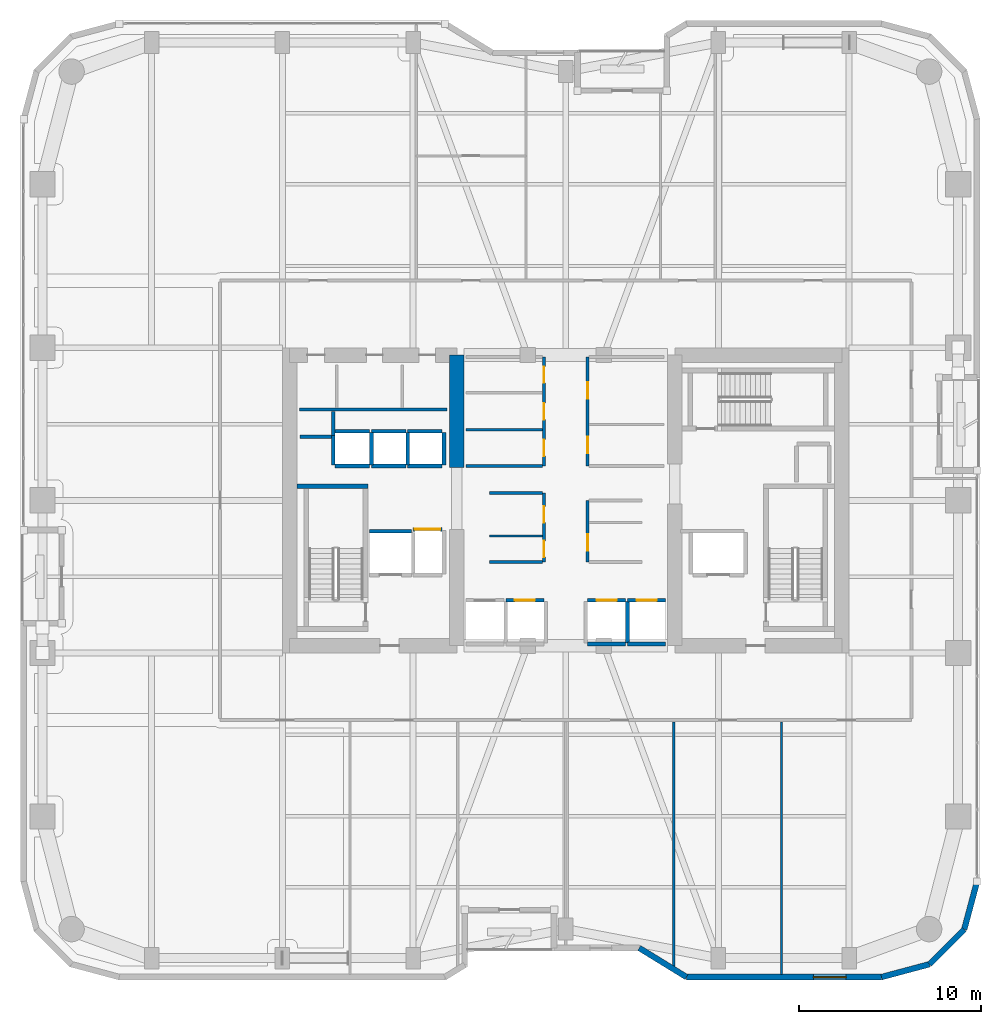
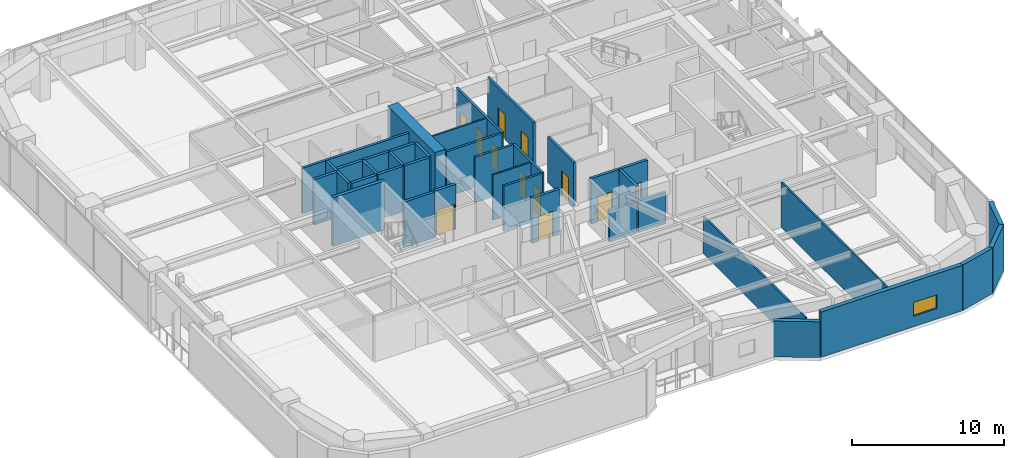
# One storey, part 19 of 24: 39 walls, 12 doors, 1 window, 13 openings.
"""IFC4 building model written with IfcOpenShell, lengths in metres."""

from ifc_helpers import new_model, si_unit, direction, frame, frame_2d, origin, place, context, subcontext, project, spatial, rectangle, extrude, material, layer, layer_set, type_object, element, fill, save


model = new_model("IFC4")

# Units and contexts
model_context = context("Model", 3, precision=1e-05, world=origin(), true_north=direction((0.0, 1.0)))
body_context = subcontext(model_context, "Body", "Model", "MODEL_VIEW")
ifc_project = project(units=[si_unit("LENGTHUNIT", "METRE"), si_unit("AREAUNIT", "SQUARE_METRE"), si_unit("VOLUMEUNIT", "CUBIC_METRE"), si_unit("PLANEANGLEUNIT", "RADIAN"), si_unit("MASSUNIT", "GRAM", prefix="KILO")], contexts=[model_context])

# Site, building, storey
site_placement = place(None, origin())
site = spatial("IfcSite", under=ifc_project, at=site_placement, CompositionType="ELEMENT")
building_placement = place(site_placement, origin())
building = spatial("IfcBuilding", under=site, at=building_placement, Name="Kiyonajd Concourse Tower", CompositionType="ELEMENT")
storey_placement = place(building_placement, frame((0.0, 0.0, 101.39990234375)))
storey = spatial("IfcBuildingStorey", under=building, at=storey_placement, Name="L26", CompositionType="ELEMENT", Elevation=101.39990234375)

# Walls
ifc_material_1 = material(Name="Concrete C70/85", Category="concrete")
ifc_layer_1 = layer(ifc_material_1, 0.800048828125)
ifc_layer_set_1 = layer_set([ifc_layer_1], Name="Concrete C70/85")
wall_type_1 = type_object("IfcWallType", Name="WL-CORE-800", PredefinedType="SHEAR", material=ifc_layer_set_1)
wall_1_placement = place(storey_placement, frame((42.0, 37.800048828125, 0.0), z_axis=(0.0, 0.0, 1.0), x_axis=(0.0, 1.0, 0.0)))
element("IfcWall", 1, at=wall_1_placement, inside=storey, type_object=wall_type_1, Name="L26 West Core Inner North Shear Wall", PredefinedType="SHEAR", context=body_context, shape_type="SweptSolid", body=[
    extrude(rectangle(XDim=6.199951171875, YDim=0.800048828125, at=frame_2d((3.10009765625, 0.0))), origin(), (0.0, 0.0, 1.0), 3.900146484375),
])
ifc_material_2 = material(Name="Precast concrete C50/60", Category="concrete")
ifc_layer_2 = layer(ifc_material_2, 0.320068359375)
ifc_layer_set_2 = layer_set([ifc_layer_2], Name="Precast concrete C50/60")
wall_type_2 = type_object("IfcWallType", Name="WL-EXT-320", PredefinedType="SOLIDWALL", material=ifc_layer_set_2)
wall_2_placement = place(storey_placement, frame((70.639892578125, 15.02099609375, 0.0), z_axis=(0.0, 0.0, 1.0), x_axis=(-0.258613949072, -0.965980758269, 0.0)))
element("IfcWall", 2, at=wall_2_placement, inside=storey, type_object=wall_type_2, Name="L26 Exterior Concrete Frame Wall 25", PredefinedType="SOLIDWALL", context=body_context, shape_type="SweptSolid", body=[
    extrude(rectangle(XDim=2.731201171875, YDim=0.320068359375, at=frame_2d((1.36572265625, 0.0))), origin(), (0.0, 0.0, 1.0), 3.64013671875),
])
wall_3_placement = place(storey_placement, frame((69.93359375, 12.3828125, 0.0), z_axis=(0.0, 0.0, 1.0), x_axis=(-0.707151821269, -0.707061738235, 0.0)))
element("IfcWall", 3, at=wall_3_placement, inside=storey, type_object=wall_type_2, Name="L26 Exterior Concrete Frame Wall 26", PredefinedType="SOLIDWALL", context=body_context, shape_type="SweptSolid", body=[
    extrude(rectangle(XDim=2.710205078125, YDim=0.320068359375, at=frame_2d((1.35498046875, 0.0))), origin(), (0.0, 0.0, 1.0), 3.64013671875),
])
wall_4_placement = place(storey_placement, frame((68.01708984375, 10.466552734375, 0.0), z_axis=(0.0, 0.0, 1.0), x_axis=(-0.965958423373, -0.25869736047, 0.0)))
element("IfcWall", 4, at=wall_4_placement, inside=storey, type_object=wall_type_2, Name="L26 Exterior Concrete Frame Wall 27", PredefinedType="SOLIDWALL", context=body_context, shape_type="SweptSolid", body=[
    extrude(rectangle(XDim=2.731201171875, YDim=0.320068359375, at=frame_2d((1.36572265625, 0.0))), origin(), (0.0, 0.0, 1.0), 3.64013671875),
])

# Wall, opening, window
wall_5_placement = place(storey_placement, frame((65.37890625, 9.760009765625, 0.0), z_axis=(0.0, 0.0, 1.0), x_axis=(-1.0, 0.0, 0.0)))
wall_5 = element("IfcWall", 5, at=wall_5_placement, inside=storey, type_object=wall_type_2, Name="L26 Exterior Concrete Frame Wall 28", PredefinedType="SOLIDWALL", context=body_context, shape_type="SweptSolid", body=[
    extrude(rectangle(XDim=10.733642578125, YDim=0.320068359375, at=frame_2d((5.36669921875, 0.0))), origin(), (0.0, 0.0, 1.0), 3.64013671875),
])
opening_1_placement = place(wall_5_placement, frame((1.944091796875, 0.0, 0.85009765625)))
opening_1 = element("IfcOpeningElement", 6, at=opening_1_placement, cuts=wall_5, Name="Opening WN1", PredefinedType="OPENING", context=body_context, shape_type="SweptSolid", body=[
    extrude(rectangle(XDim=1.800048828125, YDim=1.10009765625, at=frame_2d((0.89990234375, 0.550048828125))), frame((0.0, 0.169921875, 0.0), z_axis=(0.0, -1.0, 0.0), x_axis=(1.0, 0.0, 0.0)), (0.0, 0.0, 1.0), 0.340087890625),
])
ifc_material_3 = material(Name="Double Low-E Insulated Glass", Category="glass")
window_type = type_object("IfcWindowType", Name="WN-VIS-1800x1100", PartitioningType="SINGLE_PANEL", PredefinedType="WINDOW", material=ifc_material_3)
window_placement = place(opening_1_placement, origin())
window = element("IfcWindow", 7, at=window_placement, inside=storey, type_object=window_type, Name="L26 Modular Facade Vision Window 28", OverallHeight=1.10009765625, OverallWidth=1.800048828125, PartitioningType="SINGLE_PANEL", PredefinedType="WINDOW", context=body_context, shape_type="SweptSolid", body=[
    extrude(rectangle(XDim=1.800048828125, YDim=1.10009765625, at=frame_2d((0.89990234375, 0.550048828125))), frame((0.0, 0.030029296875, 0.0), z_axis=(0.0, -1.0, 0.0), x_axis=(1.0, 0.0, 0.0)), (0.0, 0.0, 1.0), 0.06005859375),
])
fill(opening_1, window)

# Walls
wall_6_placement = place(storey_placement, frame((54.645263671875, 9.760009765625, 0.0), z_axis=(0.0, 0.0, 1.0), x_axis=(-0.851630857047, 0.524142044989, 0.0)))
element("IfcWall", 8, at=wall_6_placement, inside=storey, type_object=wall_type_2, Name="L26 Exterior Concrete Frame Wall 29", PredefinedType="SOLIDWALL", context=body_context, shape_type="SweptSolid", body=[
    extrude(rectangle(XDim=3.052734375, YDim=0.320068359375, at=frame_2d((1.5263671875, 0.0))), origin(), (0.0, 0.0, 1.0), 2.875),
])
ifc_material_4 = material(Name="Gypsum Board on Cold-Formed Steel Stud", Category="steel")
ifc_layer_3 = layer(ifc_material_4, 0.125)
ifc_layer_set_3 = layer_set([ifc_layer_3], Name="Gypsum Board on Cold-Formed Steel Stud")
wall_type_3 = type_object("IfcWallType", Name="WL-PART-125", PredefinedType="PARTITIONING", material=ifc_layer_set_3)
wall_7_placement = place(storey_placement, frame((43.800048828125, 34.0439453125, 0.0), z_axis=(0.0, 0.0, 1.0), x_axis=(1.0, 0.0, 0.0)))
element("IfcWall", 9, at=wall_7_placement, inside=storey, type_object=wall_type_3, Name="L26 Interior Partition Wall", PredefinedType="PARTITIONING", context=body_context, shape_type="SweptSolid", body=[
    extrude(rectangle(XDim=2.912841796875, YDim=0.125, at=frame_2d((1.45654296875, 0.0))), origin(), (0.0, 0.0, 1.0), 3.64013671875),
])
wall_8_placement = place(storey_placement, frame((42.5, 39.8798828125, 0.0), z_axis=(0.0, 0.0, 1.0), x_axis=(1.0, 0.0, 0.0)))
element("IfcWall", 10, at=wall_8_placement, inside=storey, type_object=wall_type_3, Name="L26 Interior Partition Wall", PredefinedType="PARTITIONING", context=body_context, shape_type="SweptSolid", body=[
    extrude(rectangle(XDim=4.212890625, YDim=0.125, at=frame_2d((2.1064453125, 0.0))), origin(), (0.0, 0.0, 1.0), 3.64013671875),
])
wall_9_placement = place(storey_placement, frame((53.93994140625, 10.34912109375, 0.0), z_axis=(0.0, 0.0, 1.0), x_axis=(0.0, 1.0, 0.0)))
element("IfcWall", 11, at=wall_9_placement, inside=storey, type_object=wall_type_3, Name="L26 Interior Partition Wall", PredefinedType="PARTITIONING", context=body_context, shape_type="SweptSolid", body=[
    extrude(rectangle(XDim=13.4638671875, YDim=0.125, at=frame_2d((6.73193359375, 0.0))), origin(), (0.0, 0.0, 1.0), 3.003173828125),
])
wall_10_placement = place(storey_placement, frame((59.8798828125, 9.9150390625, 0.0), z_axis=(0.0, 0.0, 1.0), x_axis=(0.0, 1.0, 0.0)))
element("IfcWall", 12, at=wall_10_placement, inside=storey, type_object=wall_type_3, Name="L26 Interior Partition Wall", PredefinedType="PARTITIONING", context=body_context, shape_type="SweptSolid", body=[
    extrude(rectangle(XDim=13.89794921875, YDim=0.125, at=frame_2d((6.948974609375, 0.0))), origin(), (0.0, 0.0, 1.0), 3.64013671875),
])
ifc_layer_4 = layer(ifc_material_4, 0.18994140625)
ifc_layer_set_4 = layer_set([ifc_layer_4], Name="Gypsum Board on Cold-Formed Steel Stud")
wall_type_4 = type_object("IfcWallType", Name="WL-PLMB-190", PredefinedType="PLUMBINGWALL", material=ifc_layer_set_4)
wall_11_placement = place(storey_placement, frame((33.35009765625, 41.0, 0.0), z_axis=(0.0, 0.0, 1.0), x_axis=(1.0, 0.0, 0.0)))
element("IfcWall", 13, at=wall_11_placement, inside=storey, type_object=wall_type_4, Name="L26 Interior Partition Wall", PredefinedType="PLUMBINGWALL", context=body_context, shape_type="SweptSolid", body=[
    extrude(rectangle(XDim=8.099853515625, YDim=0.18994140625, at=frame_2d((4.0498046875, 0.0))), origin(), (0.0, 0.0, 1.0), 3.64013671875),
])
ifc_layer_5 = layer(ifc_material_4, 0.2099609375)
ifc_layer_set_5 = layer_set([ifc_layer_5], Name="Gypsum Board on Cold-Formed Steel Stud")
wall_type_5 = type_object("IfcWallType", Name="WL-SHAFT-210", PredefinedType="PARTITIONING", material=ifc_layer_set_5)
wall_12_placement = place(storey_placement, frame((33.360107421875, 39.5, 0.0), z_axis=(0.0, 0.0, 1.0), x_axis=(1.0, 0.0, 0.0)))
element("IfcWall", 14, at=wall_12_placement, inside=storey, type_object=wall_type_5, Name="L26 Shaft Enclosure Wall", PredefinedType="PARTITIONING", context=body_context, shape_type="SweptSolid", body=[
    extrude(rectangle(XDim=1.85986328125, YDim=0.2099609375, at=frame_2d((0.929931640625, 0.0))), origin(), (0.0, 0.0, 1.0), 3.64013671875),
])
wall_13_placement = place(storey_placement, frame((35.199951171875, 39.580078125, 0.0), z_axis=(0.0, 0.0, 1.0), x_axis=(0.0, 1.0, 0.0)))
element("IfcWall", 15, at=wall_13_placement, inside=storey, type_object=wall_type_5, Name="L26 Shaft Enclosure Wall", PredefinedType="PARTITIONING", context=body_context, shape_type="SweptSolid", body=[
    extrude(rectangle(XDim=1.31982421875, YDim=0.2099609375, at=frame_2d((0.659912109375, 0.0))), origin(), (0.0, 0.0, 1.0), 3.64013671875),
])
wall_14_placement = place(storey_placement, frame((37.199951171875, 34.300048828125, 0.0), z_axis=(0.0, 0.0, 1.0), x_axis=(1.0, 0.0, 0.0)))
element("IfcWall", 16, at=wall_14_placement, inside=storey, type_object=wall_type_5, Name="L26 Shaft Enclosure Wall", PredefinedType="PARTITIONING", context=body_context, shape_type="SweptSolid", body=[
    extrude(rectangle(XDim=2.300048828125, YDim=0.2099609375, at=frame_2d((1.14990234375, 0.0))), origin(), (0.0, 0.0, 1.0), 3.64013671875),
])

# Wall, opening, door
wall_15_placement = place(storey_placement, frame((39.60009765625, 34.39990234375, 0.0), z_axis=(0.0, 0.0, 1.0), x_axis=(1.0, 0.0, 0.0)))
wall_15 = element("IfcWall", 17, at=wall_15_placement, inside=storey, type_object=wall_type_5, Name="L26 Shaft Enclosure Wall", PredefinedType="PARTITIONING", context=body_context, shape_type="SweptSolid", body=[
    extrude(rectangle(XDim=1.599853515625, YDim=0.2099609375, at=frame_2d((0.7998046875, 0.0))), origin(), (0.0, 0.0, 1.0), 3.64013671875),
])
opening_2_placement = place(wall_15_placement, frame((0.10009765625, 0.0, 0.0)))
opening_2 = element("IfcOpeningElement", 18, at=opening_2_placement, cuts=wall_15, Name="Opening LD3", PredefinedType="OPENING", context=body_context, shape_type="SweptSolid", body=[
    extrude(rectangle(XDim=1.39990234375, YDim=2.06005859375, at=frame_2d((0.699951171875, 1.030029296875))), frame((0.0, 0.114990234375, 0.0), z_axis=(0.0, -1.0, 0.0), x_axis=(1.0, 0.0, 0.0)), (0.0, 0.0, 1.0), 0.22998046875),
])
ifc_material_5 = material(Name="Brushed Stainless Steel Cab Assembly", Category="steel")
door_type_1 = type_object("IfcDoorType", Name="DR-LD-1400", OperationType="DOUBLE_DOOR_SLIDING", PredefinedType="DOOR", material=ifc_material_5)
door_1_placement = place(opening_2_placement, origin())
door_1 = element("IfcDoor", 19, at=door_1_placement, inside=storey, type_object=door_type_1, Name="L26 Lift SVL1 Sliding Landing Door", OperationType="DOUBLE_DOOR_SLIDING", OverallHeight=2.06005859375, OverallWidth=1.39990234375, PredefinedType="DOOR", context=body_context, shape_type="SweptSolid", body=[
    extrude(rectangle(XDim=1.39990234375, YDim=2.06005859375, at=frame_2d((0.699951171875, 1.030029296875))), frame((0.0, 0.02490234375, 0.0), z_axis=(0.0, -1.0, 0.0), x_axis=(1.0, 0.0, 0.0)), (0.0, 0.0, 1.0), 0.050048828125),
])
fill(opening_2, door_1)

wall_16_placement = place(storey_placement, frame((44.699951171875, 30.5, 0.0), z_axis=(0.0, 0.0, 1.0), x_axis=(1.0, 0.0, 0.0)))
wall_16 = element("IfcWall", 20, at=wall_16_placement, inside=storey, type_object=wall_type_5, Name="L26 Shaft Enclosure Wall", PredefinedType="PARTITIONING", context=body_context, shape_type="SweptSolid", body=[
    extrude(rectangle(XDim=2.10009765625, YDim=0.2099609375, at=frame_2d((1.050048828125, 0.0))), origin(), (0.0, 0.0, 1.0), 3.64013671875),
])
opening_3_placement = place(wall_16_placement, frame((0.5, 0.0, 0.0)))
opening_3 = element("IfcOpeningElement", 21, at=opening_3_placement, cuts=wall_16, Name="Opening LD1", PredefinedType="OPENING", context=body_context, shape_type="SweptSolid", body=[
    extrude(rectangle(XDim=1.10009765625, YDim=2.0400390625, at=frame_2d((0.550048828125, 1.02001953125))), frame((0.0, 0.114990234375, 0.0), z_axis=(0.0, -1.0, 0.0), x_axis=(1.0, 0.0, 0.0)), (0.0, 0.0, 1.0), 0.22998046875),
])
door_type_2 = type_object("IfcDoorType", Name="DR-LD-1100", OperationType="DOUBLE_DOOR_SLIDING", PredefinedType="DOOR", material=ifc_material_5)
door_2_placement = place(opening_3_placement, origin())
door_2 = element("IfcDoor", 22, at=door_2_placement, inside=storey, type_object=door_type_2, Name="L26 Lift PL-L2 Sliding Landing Door", OperationType="DOUBLE_DOOR_SLIDING", OverallHeight=2.0400390625, OverallWidth=1.10009765625, PredefinedType="DOOR", context=body_context, shape_type="SweptSolid", body=[
    extrude(rectangle(XDim=1.10009765625, YDim=2.0400390625, at=frame_2d((0.550048828125, 1.02001953125))), frame((0.0, 0.02490234375, 0.0), z_axis=(0.0, -1.0, 0.0), x_axis=(1.0, 0.0, 0.0)), (0.0, 0.0, 1.0), 0.050048828125),
])
fill(opening_3, door_2)

wall_17_placement = place(storey_placement, frame((49.199951171875, 30.5, 0.0), z_axis=(0.0, 0.0, 1.0), x_axis=(1.0, 0.0, 0.0)))
wall_17 = element("IfcWall", 23, at=wall_17_placement, inside=storey, type_object=wall_type_5, Name="L26 Shaft Enclosure Wall", PredefinedType="PARTITIONING", context=body_context, shape_type="SweptSolid", body=[
    extrude(rectangle(XDim=2.10009765625, YDim=0.2099609375, at=frame_2d((1.050048828125, 0.0))), origin(), (0.0, 0.0, 1.0), 3.64013671875),
])
opening_4_placement = place(wall_17_placement, frame((0.5, 0.0, 0.0)))
opening_4 = element("IfcOpeningElement", 24, at=opening_4_placement, cuts=wall_17, Name="Opening LD1", PredefinedType="OPENING", context=body_context, shape_type="SweptSolid", body=[
    extrude(rectangle(XDim=1.10009765625, YDim=2.0400390625, at=frame_2d((0.550048828125, 1.02001953125))), frame((0.0, 0.114990234375, 0.0), z_axis=(0.0, -1.0, 0.0), x_axis=(1.0, 0.0, 0.0)), (0.0, 0.0, 1.0), 0.22998046875),
])
door_3_placement = place(opening_4_placement, origin())
door_3 = element("IfcDoor", 25, at=door_3_placement, inside=storey, type_object=door_type_2, Name="L26 Lift PL-L3 Sliding Landing Door", OperationType="DOUBLE_DOOR_SLIDING", OverallHeight=2.0400390625, OverallWidth=1.10009765625, PredefinedType="DOOR", context=body_context, shape_type="SweptSolid", body=[
    extrude(rectangle(XDim=1.10009765625, YDim=2.0400390625, at=frame_2d((0.550048828125, 1.02001953125))), frame((0.0, 0.02490234375, 0.0), z_axis=(0.0, -1.0, 0.0), x_axis=(1.0, 0.0, 0.0)), (0.0, 0.0, 1.0), 0.050048828125),
])
fill(opening_4, door_3)

# Walls
wall_18_placement = place(storey_placement, frame((49.199951171875, 28.10009765625, 0.0), z_axis=(0.0, 0.0, 1.0), x_axis=(1.0, 0.0, 0.0)))
element("IfcWall", 26, at=wall_18_placement, inside=storey, type_object=wall_type_5, Name="L26 Shaft Enclosure Wall", PredefinedType="PARTITIONING", context=body_context, shape_type="SweptSolid", body=[
    extrude(rectangle(XDim=2.10009765625, YDim=0.2099609375, at=frame_2d((1.050048828125, 0.0))), origin(), (0.0, 0.0, 1.0), 2.525146484375),
])
wall_19_placement = place(storey_placement, frame((51.39990234375, 28.159912109375, 0.0), z_axis=(0.0, 0.0, 1.0), x_axis=(0.0, 1.0, 0.0)))
element("IfcWall", 27, at=wall_19_placement, inside=storey, type_object=wall_type_5, Name="L26 Shaft Enclosure Wall", PredefinedType="PARTITIONING", context=body_context, shape_type="SweptSolid", body=[
    extrude(rectangle(XDim=2.280029296875, YDim=0.2099609375, at=frame_2d((1.14013671875, 0.0))), origin(), (0.0, 0.0, 1.0), 3.64013671875),
])

# Wall, opening, door
wall_20_placement = place(storey_placement, frame((51.39990234375, 30.5, 0.0), z_axis=(0.0, 0.0, 1.0), x_axis=(1.0, 0.0, 0.0)))
wall_20 = element("IfcWall", 28, at=wall_20_placement, inside=storey, type_object=wall_type_5, Name="L26 Shaft Enclosure Wall", PredefinedType="PARTITIONING", context=body_context, shape_type="SweptSolid", body=[
    extrude(rectangle(XDim=2.10009765625, YDim=0.2099609375, at=frame_2d((1.050048828125, 0.0))), origin(), (0.0, 0.0, 1.0), 3.64013671875),
])
opening_5_placement = place(wall_20_placement, frame((0.5, 0.0, 0.0)))
opening_5 = element("IfcOpeningElement", 29, at=opening_5_placement, cuts=wall_20, Name="Opening LD1", PredefinedType="OPENING", context=body_context, shape_type="SweptSolid", body=[
    extrude(rectangle(XDim=1.10009765625, YDim=2.0400390625, at=frame_2d((0.550048828125, 1.02001953125))), frame((0.0, 0.114990234375, 0.0), z_axis=(0.0, -1.0, 0.0), x_axis=(1.0, 0.0, 0.0)), (0.0, 0.0, 1.0), 0.22998046875),
])
door_4_placement = place(opening_5_placement, origin())
door_4 = element("IfcDoor", 30, at=door_4_placement, inside=storey, type_object=door_type_2, Name="L26 Lift PL-L4 Sliding Landing Door", OperationType="DOUBLE_DOOR_SLIDING", OverallHeight=2.0400390625, OverallWidth=1.10009765625, PredefinedType="DOOR", context=body_context, shape_type="SweptSolid", body=[
    extrude(rectangle(XDim=1.10009765625, YDim=2.0400390625, at=frame_2d((0.550048828125, 1.02001953125))), frame((0.0, 0.02490234375, 0.0), z_axis=(0.0, -1.0, 0.0), x_axis=(1.0, 0.0, 0.0)), (0.0, 0.0, 1.0), 0.050048828125),
])
fill(opening_5, door_4)

# Walls
wall_21_placement = place(storey_placement, frame((51.39990234375, 28.10009765625, 0.0), z_axis=(0.0, 0.0, 1.0), x_axis=(1.0, 0.0, 0.0)))
element("IfcWall", 31, at=wall_21_placement, inside=storey, type_object=wall_type_5, Name="L26 Shaft Enclosure Wall", PredefinedType="PARTITIONING", context=body_context, shape_type="SweptSolid", body=[
    extrude(rectangle(XDim=2.10009765625, YDim=0.2099609375, at=frame_2d((1.050048828125, 0.0))), origin(), (0.0, 0.0, 1.0), 2.525146484375),
])
for number, where, z_axis, x_axis, name in (
    (32, (35.300048828125, 37.89990234375, 0.0), (0.0, 0.0, 1.0), (1.0, 0.0, 0.0), "L26 Shaft Enclosure Wall"),
    (33, (35.300048828125, 39.800048828125, 0.0), (0.0, 0.0, 1.0), (1.0, 0.0, 0.0), "L26 Shaft Enclosure Wall"),
):
    element("IfcWall", number, at=place(storey_placement, frame(where, z_axis=z_axis, x_axis=x_axis)), inside=storey, type_object=wall_type_5, Name=name, PredefinedType="PARTITIONING", context=body_context, shape_type="SweptSolid", body=[
        extrude(rectangle(XDim=1.89990234375, YDim=0.2099609375, at=frame_2d((0.949951171875, 0.0))), origin(), (0.0, 0.0, 1.0), 3.64013671875),
    ])
wall_22_placement = place(storey_placement, frame((35.199951171875, 37.9599609375, 0.0), z_axis=(0.0, 0.0, 1.0), x_axis=(0.0, 1.0, 0.0)))
element("IfcWall", 34, at=wall_22_placement, inside=storey, type_object=wall_type_5, Name="L26 Shaft Enclosure Wall", PredefinedType="PARTITIONING", context=body_context, shape_type="SweptSolid", body=[
    extrude(rectangle(XDim=1.6201171875, YDim=0.2099609375, at=frame_2d((0.81005859375, 0.0))), origin(), (0.0, 0.0, 1.0), 3.64013671875),
])
wall_23_placement = place(storey_placement, frame((37.300048828125, 37.9599609375, 0.0), z_axis=(0.0, 0.0, 1.0), x_axis=(0.0, 1.0, 0.0)))
element("IfcWall", 35, at=wall_23_placement, inside=storey, type_object=wall_type_5, Name="L26 Shaft Enclosure Wall", PredefinedType="PARTITIONING", context=body_context, shape_type="SweptSolid", body=[
    extrude(rectangle(XDim=1.780029296875, YDim=0.2099609375, at=frame_2d((0.89013671875, 0.0))), origin(), (0.0, 0.0, 1.0), 3.64013671875),
])
for number, where, z_axis, x_axis, name in (
    (36, (37.300048828125, 37.89990234375, 0.0), (0.0, 0.0, 1.0), (1.0, 0.0, 0.0), "L26 Shaft Enclosure Wall"),
    (37, (37.300048828125, 39.800048828125, 0.0), (0.0, 0.0, 1.0), (1.0, 0.0, 0.0), "L26 Shaft Enclosure Wall"),
):
    element("IfcWall", number, at=place(storey_placement, frame(where, z_axis=z_axis, x_axis=x_axis)), inside=storey, type_object=wall_type_5, Name=name, PredefinedType="PARTITIONING", context=body_context, shape_type="SweptSolid", body=[
        extrude(rectangle(XDim=1.89990234375, YDim=0.2099609375, at=frame_2d((0.949951171875, 0.0))), origin(), (0.0, 0.0, 1.0), 3.64013671875),
    ])
wall_24_placement = place(storey_placement, frame((39.300048828125, 37.9599609375, 0.0), z_axis=(0.0, 0.0, 1.0), x_axis=(0.0, 1.0, 0.0)))
element("IfcWall", 38, at=wall_24_placement, inside=storey, type_object=wall_type_5, Name="L26 Shaft Enclosure Wall", PredefinedType="PARTITIONING", context=body_context, shape_type="SweptSolid", body=[
    extrude(rectangle(XDim=1.780029296875, YDim=0.2099609375, at=frame_2d((0.89013671875, 0.0))), origin(), (0.0, 0.0, 1.0), 3.64013671875),
])
for number, where, z_axis, x_axis, name in (
    (39, (39.300048828125, 37.89990234375, 0.0), (0.0, 0.0, 1.0), (1.0, 0.0, 0.0), "L26 Shaft Enclosure Wall"),
    (40, (39.300048828125, 39.800048828125, 0.0), (0.0, 0.0, 1.0), (1.0, 0.0, 0.0), "L26 Shaft Enclosure Wall"),
):
    element("IfcWall", number, at=place(storey_placement, frame(where, z_axis=z_axis, x_axis=x_axis)), inside=storey, type_object=wall_type_5, Name=name, PredefinedType="PARTITIONING", context=body_context, shape_type="SweptSolid", body=[
        extrude(rectangle(XDim=1.89990234375, YDim=0.2099609375, at=frame_2d((0.949951171875, 0.0))), origin(), (0.0, 0.0, 1.0), 3.64013671875),
    ])
wall_25_placement = place(storey_placement, frame((41.300048828125, 37.9599609375, 0.0), z_axis=(0.0, 0.0, 1.0), x_axis=(0.0, 1.0, 0.0)))
element("IfcWall", 41, at=wall_25_placement, inside=storey, type_object=wall_type_5, Name="L26 Shaft Enclosure Wall", PredefinedType="PARTITIONING", context=body_context, shape_type="SweptSolid", body=[
    extrude(rectangle(XDim=1.780029296875, YDim=0.2099609375, at=frame_2d((0.89013671875, 0.0))), origin(), (0.0, 0.0, 1.0), 3.64013671875),
])

# Wall, openings, doors
ifc_layer_6 = layer(ifc_material_4, 0.169921875)
ifc_layer_set_6 = layer_set([ifc_layer_6], Name="Gypsum Board on Cold-Formed Steel Stud")
wall_type_6 = type_object("IfcWallType", Name="WL-SMK-170", PredefinedType="PARTITIONING", material=ifc_layer_set_6)
wall_26_placement = place(storey_placement, frame((46.800048828125, 32.60009765625, 0.0), z_axis=(0.0, 0.0, 1.0), x_axis=(0.0, 1.0, 0.0)))
wall_26 = element("IfcWall", 42, at=wall_26_placement, inside=storey, type_object=wall_type_6, Name="L26 Interior Partition Wall", PredefinedType="PARTITIONING", context=body_context, shape_type="SweptSolid", body=[
    extrude(rectangle(XDim=3.7998046875, YDim=0.169921875, at=frame_2d((1.89990234375, 0.0))), origin(), (0.0, 0.0, 1.0), 3.64013671875),
])
opening_6_placement = place(wall_26_placement, frame((0.27197265625, 0.0, 0.0)))
opening_6 = element("IfcOpeningElement", 43, at=opening_6_placement, cuts=wall_26, Name="Opening DI2", PredefinedType="OPENING", context=body_context, shape_type="SweptSolid", body=[
    extrude(rectangle(XDim=0.89990234375, YDim=2.02001953125, at=frame_2d((0.449951171875, 1.010009765625))), frame((0.0, 0.094970703125, 0.0), z_axis=(0.0, -1.0, 0.0), x_axis=(1.0, 0.0, 0.0)), (0.0, 0.0, 1.0), 0.18994140625),
])
opening_7_placement = place(wall_26_placement, frame((2.172119140625, 0.0, 0.0)))
opening_7 = element("IfcOpeningElement", 44, at=opening_7_placement, cuts=wall_26, Name="Opening DI2", PredefinedType="OPENING", context=body_context, shape_type="SweptSolid", body=[
    extrude(rectangle(XDim=0.89990234375, YDim=2.02001953125, at=frame_2d((0.449951171875, 1.010009765625))), frame((0.0, 0.094970703125, 0.0), z_axis=(0.0, -1.0, 0.0), x_axis=(1.0, 0.0, 0.0)), (0.0, 0.0, 1.0), 0.18994140625),
])
ifc_material_6 = material(Name="Natural Oak Acoustic Timber Veneer", Category="wood")
door_type_3 = type_object("IfcDoorType", Name="DR-INT-900", OperationType="NOTDEFINED", PredefinedType="DOOR", material=ifc_material_6)
door_5_placement = place(opening_6_placement, origin())
door_5 = element("IfcDoor", 45, at=door_5_placement, inside=storey, type_object=door_type_3, Name="L26 Interior Door", OperationType="SINGLE_SWING_LEFT", OverallHeight=2.02001953125, OverallWidth=0.89990234375, PredefinedType="DOOR", context=body_context, shape_type="SweptSolid", body=[
    extrude(rectangle(XDim=0.89990234375, YDim=2.02001953125, at=frame_2d((0.449951171875, 1.010009765625))), frame((0.0, 0.02490234375, 0.0), z_axis=(0.0, -1.0, 0.0), x_axis=(1.0, 0.0, 0.0)), (0.0, 0.0, 1.0), 0.050048828125),
])
fill(opening_6, door_5)
door_6_placement = place(opening_7_placement, origin())
door_6 = element("IfcDoor", 46, at=door_6_placement, inside=storey, type_object=door_type_3, Name="L26 Interior Door", OperationType="SINGLE_SWING_RIGHT", OverallHeight=2.02001953125, OverallWidth=0.89990234375, PredefinedType="DOOR", context=body_context, shape_type="SweptSolid", body=[
    extrude(rectangle(XDim=0.89990234375, YDim=2.02001953125, at=frame_2d((0.449951171875, 1.010009765625))), frame((0.0, 0.02490234375, 0.0), z_axis=(0.0, -1.0, 0.0), x_axis=(1.0, 0.0, 0.0)), (0.0, 0.0, 1.0), 0.050048828125),
])
fill(opening_7, door_6)

# Walls
for number, where, z_axis, x_axis, name in (
    (47, (43.800048828125, 32.60009765625, 0.0), (0.0, 0.0, 1.0), (1.0, 0.0, 0.0), "L26 Interior Partition Wall"),
    (48, (43.800048828125, 36.39990234375, 0.0), (0.0, 0.0, 1.0), (1.0, 0.0, 0.0), "L26 Interior Partition Wall"),
):
    element("IfcWall", number, at=place(storey_placement, frame(where, z_axis=z_axis, x_axis=x_axis)), inside=storey, type_object=wall_type_6, Name=name, PredefinedType="PARTITIONING", context=body_context, shape_type="SweptSolid", body=[
        extrude(rectangle(XDim=2.912841796875, YDim=0.169921875, at=frame_2d((1.45654296875, 0.0))), origin(), (0.0, 0.0, 1.0), 3.64013671875),
    ])

# Wall, opening, door
wall_27_placement = place(storey_placement, frame((49.199951171875, 32.60009765625, 0.0), z_axis=(0.0, 0.0, 1.0), x_axis=(0.0, 1.0, 0.0)))
wall_27 = element("IfcWall", 49, at=wall_27_placement, inside=storey, type_object=wall_type_6, Name="L26 Interior Partition Wall", PredefinedType="PARTITIONING", context=body_context, shape_type="SweptSolid", body=[
    extrude(rectangle(XDim=3.39990234375, YDim=0.169921875, at=frame_2d((1.699951171875, 0.0))), origin(), (0.0, 0.0, 1.0), 3.64013671875),
])
opening_8_placement = place(wall_27_placement, frame((0.637939453125, 0.0, 0.0)))
opening_8 = element("IfcOpeningElement", 50, at=opening_8_placement, cuts=wall_27, Name="Opening DF4", PredefinedType="OPENING", context=body_context, shape_type="SweptSolid", body=[
    extrude(rectangle(XDim=0.89990234375, YDim=2.02001953125, at=frame_2d((0.449951171875, 1.010009765625))), frame((0.0, 0.094970703125, 0.0), z_axis=(0.0, -1.0, 0.0), x_axis=(1.0, 0.0, 0.0)), (0.0, 0.0, 1.0), 0.18994140625),
])
door_type_4 = type_object("IfcDoorType", Name="DR-FD60-900", OperationType="NOTDEFINED", PredefinedType="DOOR", material=ifc_material_5)
door_7_placement = place(opening_8_placement, origin())
door_7 = element("IfcDoor", 51, at=door_7_placement, inside=storey, type_object=door_type_4, Name="L26 Interior Door", OperationType="SINGLE_SWING_LEFT", OverallHeight=2.02001953125, OverallWidth=0.89990234375, PredefinedType="DOOR", context=body_context, shape_type="SweptSolid", body=[
    extrude(rectangle(XDim=0.89990234375, YDim=2.02001953125, at=frame_2d((0.449951171875, 1.010009765625))), frame((0.0, 0.02490234375, 0.0), z_axis=(0.0, -1.0, 0.0), x_axis=(1.0, 0.0, 0.0)), (0.0, 0.0, 1.0), 0.050048828125),
])
fill(opening_8, door_7)

# Wall, openings, doors
wall_28_placement = place(storey_placement, frame((46.800048828125, 37.89990234375, 0.0), z_axis=(0.0, 0.0, 1.0), x_axis=(0.0, 1.0, 0.0)))
wall_28 = element("IfcWall", 52, at=wall_28_placement, inside=storey, type_object=wall_type_6, Name="L26 Interior Partition Wall", PredefinedType="PARTITIONING", context=body_context, shape_type="SweptSolid", body=[
    extrude(rectangle(XDim=6.0, YDim=0.169921875, at=frame_2d((3.0, 0.0))), origin(), (0.0, 0.0, 1.0), 3.64013671875),
])
opening_9_placement = place(wall_28_placement, frame((0.5400390625, 0.0, 0.0)))
opening_9 = element("IfcOpeningElement", 53, at=opening_9_placement, cuts=wall_28, Name="Opening DI2", PredefinedType="OPENING", context=body_context, shape_type="SweptSolid", body=[
    extrude(rectangle(XDim=0.89990234375, YDim=2.02001953125, at=frame_2d((0.449951171875, 1.010009765625))), frame((0.0, 0.094970703125, 0.0), z_axis=(0.0, -1.0, 0.0), x_axis=(1.0, 0.0, 0.0)), (0.0, 0.0, 1.0), 0.18994140625),
])
opening_10_placement = place(wall_28_placement, frame((2.550048828125, 0.0, 0.0)))
opening_10 = element("IfcOpeningElement", 54, at=opening_10_placement, cuts=wall_28, Name="Opening DI2", PredefinedType="OPENING", context=body_context, shape_type="SweptSolid", body=[
    extrude(rectangle(XDim=0.89990234375, YDim=2.02001953125, at=frame_2d((0.449951171875, 1.010009765625))), frame((0.0, 0.094970703125, 0.0), z_axis=(0.0, -1.0, 0.0), x_axis=(1.0, 0.0, 0.0)), (0.0, 0.0, 1.0), 0.18994140625),
])
opening_11_placement = place(wall_28_placement, frame((4.56005859375, 0.0, 0.0)))
opening_11 = element("IfcOpeningElement", 55, at=opening_11_placement, cuts=wall_28, Name="Opening DI2", PredefinedType="OPENING", context=body_context, shape_type="SweptSolid", body=[
    extrude(rectangle(XDim=0.89990234375, YDim=2.02001953125, at=frame_2d((0.449951171875, 1.010009765625))), frame((0.0, 0.094970703125, 0.0), z_axis=(0.0, -1.0, 0.0), x_axis=(1.0, 0.0, 0.0)), (0.0, 0.0, 1.0), 0.18994140625),
])
door_8_placement = place(opening_9_placement, origin())
door_8 = element("IfcDoor", 56, at=door_8_placement, inside=storey, type_object=door_type_3, Name="L26 Interior Door", OperationType="SINGLE_SWING_RIGHT", OverallHeight=2.02001953125, OverallWidth=0.89990234375, PredefinedType="DOOR", context=body_context, shape_type="SweptSolid", body=[
    extrude(rectangle(XDim=0.89990234375, YDim=2.02001953125, at=frame_2d((0.449951171875, 1.010009765625))), frame((0.0, 0.02490234375, 0.0), z_axis=(0.0, -1.0, 0.0), x_axis=(1.0, 0.0, 0.0)), (0.0, 0.0, 1.0), 0.050048828125),
])
fill(opening_9, door_8)
door_9_placement = place(opening_10_placement, origin())
door_9 = element("IfcDoor", 57, at=door_9_placement, inside=storey, type_object=door_type_3, Name="L26 Interior Door", OperationType="SINGLE_SWING_LEFT", OverallHeight=2.02001953125, OverallWidth=0.89990234375, PredefinedType="DOOR", context=body_context, shape_type="SweptSolid", body=[
    extrude(rectangle(XDim=0.89990234375, YDim=2.02001953125, at=frame_2d((0.449951171875, 1.010009765625))), frame((0.0, 0.02490234375, 0.0), z_axis=(0.0, -1.0, 0.0), x_axis=(1.0, 0.0, 0.0)), (0.0, 0.0, 1.0), 0.050048828125),
])
fill(opening_10, door_9)
door_10_placement = place(opening_11_placement, origin())
door_10 = element("IfcDoor", 58, at=door_10_placement, inside=storey, type_object=door_type_3, Name="L26 Interior Door", OperationType="SINGLE_SWING_RIGHT", OverallHeight=2.02001953125, OverallWidth=0.89990234375, PredefinedType="DOOR", context=body_context, shape_type="SweptSolid", body=[
    extrude(rectangle(XDim=0.89990234375, YDim=2.02001953125, at=frame_2d((0.449951171875, 1.010009765625))), frame((0.0, 0.02490234375, 0.0), z_axis=(0.0, -1.0, 0.0), x_axis=(1.0, 0.0, 0.0)), (0.0, 0.0, 1.0), 0.050048828125),
])
fill(opening_11, door_10)

# Wall
wall_29_placement = place(storey_placement, frame((42.5, 37.89990234375, 0.0), z_axis=(0.0, 0.0, 1.0), x_axis=(1.0, 0.0, 0.0)))
element("IfcWall", 59, at=wall_29_placement, inside=storey, type_object=wall_type_6, Name="L26 Interior Partition Wall", PredefinedType="PARTITIONING", context=body_context, shape_type="SweptSolid", body=[
    extrude(rectangle(XDim=4.212890625, YDim=0.169921875, at=frame_2d((2.1064453125, 0.0))), origin(), (0.0, 0.0, 1.0), 3.64013671875),
])

# Wall, openings, doors
wall_30_placement = place(storey_placement, frame((49.199951171875, 37.89990234375, 0.0), z_axis=(0.0, 0.0, 1.0), x_axis=(0.0, 1.0, 0.0)))
wall_30 = element("IfcWall", 60, at=wall_30_placement, inside=storey, type_object=wall_type_6, Name="L26 Interior Partition Wall", PredefinedType="PARTITIONING", context=body_context, shape_type="SweptSolid", body=[
    extrude(rectangle(XDim=6.0, YDim=0.169921875, at=frame_2d((3.0, 0.0))), origin(), (0.0, 0.0, 1.0), 3.64013671875),
])
opening_12_placement = place(wall_30_placement, frame((0.68994140625, 0.0, 0.0)))
opening_12 = element("IfcOpeningElement", 61, at=opening_12_placement, cuts=wall_30, Name="Opening DI2", PredefinedType="OPENING", context=body_context, shape_type="SweptSolid", body=[
    extrude(rectangle(XDim=0.89990234375, YDim=2.02001953125, at=frame_2d((0.449951171875, 1.010009765625))), frame((0.0, 0.094970703125, 0.0), z_axis=(0.0, -1.0, 0.0), x_axis=(1.0, 0.0, 0.0)), (0.0, 0.0, 1.0), 0.18994140625),
])
opening_13_placement = place(wall_30_placement, frame((3.68994140625, 0.0, 0.0)))
opening_13 = element("IfcOpeningElement", 62, at=opening_13_placement, cuts=wall_30, Name="Opening DI2", PredefinedType="OPENING", context=body_context, shape_type="SweptSolid", body=[
    extrude(rectangle(XDim=0.89990234375, YDim=2.02001953125, at=frame_2d((0.449951171875, 1.010009765625))), frame((0.0, 0.094970703125, 0.0), z_axis=(0.0, -1.0, 0.0), x_axis=(1.0, 0.0, 0.0)), (0.0, 0.0, 1.0), 0.18994140625),
])
door_11_placement = place(opening_12_placement, origin())
door_11 = element("IfcDoor", 63, at=door_11_placement, inside=storey, type_object=door_type_3, Name="L26 Interior Door", OperationType="SINGLE_SWING_LEFT", OverallHeight=2.02001953125, OverallWidth=0.89990234375, PredefinedType="DOOR", context=body_context, shape_type="SweptSolid", body=[
    extrude(rectangle(XDim=0.89990234375, YDim=2.02001953125, at=frame_2d((0.449951171875, 1.010009765625))), frame((0.0, 0.02490234375, 0.0), z_axis=(0.0, -1.0, 0.0), x_axis=(1.0, 0.0, 0.0)), (0.0, 0.0, 1.0), 0.050048828125),
])
fill(opening_12, door_11)
door_12_placement = place(opening_13_placement, origin())
door_12 = element("IfcDoor", 64, at=door_12_placement, inside=storey, type_object=door_type_3, Name="L26 Interior Door", OperationType="SINGLE_SWING_RIGHT", OverallHeight=2.02001953125, OverallWidth=0.89990234375, PredefinedType="DOOR", context=body_context, shape_type="SweptSolid", body=[
    extrude(rectangle(XDim=0.89990234375, YDim=2.02001953125, at=frame_2d((0.449951171875, 1.010009765625))), frame((0.0, 0.02490234375, 0.0), z_axis=(0.0, -1.0, 0.0), x_axis=(1.0, 0.0, 0.0)), (0.0, 0.0, 1.0), 0.050048828125),
])
fill(opening_13, door_12)

# Wall
ifc_material_7 = material(Name="Concrete C50/60", Category="concrete")
ifc_layer_7 = layer(ifc_material_7, 0.260009765625)
ifc_layer_set_7 = layer_set([ifc_layer_7], Name="Concrete C50/60")
wall_type_7 = type_object("IfcWallType", Name="WL-STAIR-260", PredefinedType="SHEAR", material=ifc_layer_set_7)
wall_31_placement = place(storey_placement, frame((33.199951171875, 36.780029296875, 0.0), z_axis=(0.0, 0.0, 1.0), x_axis=(1.0, 0.0, 0.0)))
element("IfcWall", 65, at=wall_31_placement, inside=storey, type_object=wall_type_7, Name="L26 Stair ST1 Structural North Wall", PredefinedType="SHEAR", context=body_context, shape_type="SweptSolid", body=[
    extrude(rectangle(XDim=3.91015625, YDim=0.260009765625, at=frame_2d((1.955078125, 0.0))), origin(), (0.0, 0.0, 1.0), 3.900146484375),
])

save(model, "model.ifc")
